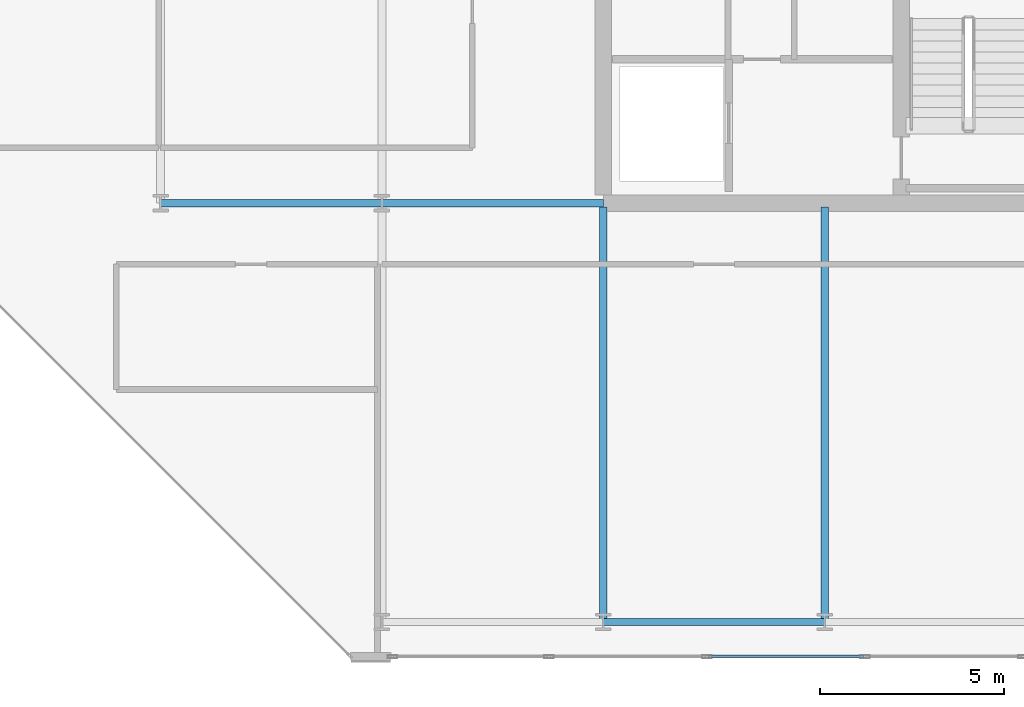
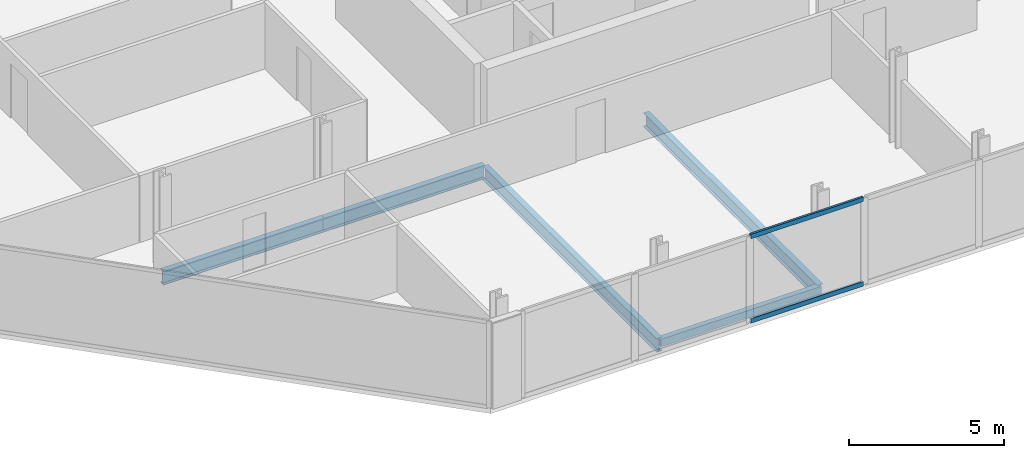
# One storey, part 3 of 17: 5 beams, 2 members, 1 element without a shape of its own.
"""IFC4 building model written with IfcOpenShell, lengths in metres."""

from ifc_helpers import new_model, si_unit, direction, frame, origin, origin_2d, place, context, subcontext, project, spatial, hollow_rectangle, i_section, extrude, material, layer, layer_set, material_profile, profile_set, type_object, element, aggregate, save


model = new_model("IFC4")

# Units and contexts
model_context = context("Model", 3, precision=1e-05, world=origin(), true_north=direction((0.0, 1.0)))
body_context = subcontext(model_context, "Body", "Model", "MODEL_VIEW")
ifc_project = project(units=[si_unit("LENGTHUNIT", "METRE"), si_unit("AREAUNIT", "SQUARE_METRE"), si_unit("VOLUMEUNIT", "CUBIC_METRE"), si_unit("PLANEANGLEUNIT", "RADIAN"), si_unit("MASSUNIT", "GRAM", prefix="KILO")], contexts=[model_context])

# Site, building, storey
site_placement = place(None, origin())
site = spatial("IfcSite", under=ifc_project, at=site_placement, CompositionType="ELEMENT")
building_placement = place(site_placement, origin())
building = spatial("IfcBuilding", under=site, at=building_placement, Name="Tanjung Sevakor Pilgrim Tower", CompositionType="ELEMENT")
storey_placement = place(building_placement, frame((0.0, 0.0, 264.330078125)))
storey = spatial("IfcBuildingStorey", under=building, at=storey_placement, Name="L74", CompositionType="ELEMENT", Elevation=264.330078125)

# Beams
ifc_material_1 = material(Name="Steel S355J2", Category="steel")
ifc_material_profile_1 = material_profile(ifc_material_1, i_section(OverallWidth=0.2119140625, OverallDepth=0.54443359375, WebThickness=0.0126953125, FlangeThickness=0.021240234375, FilletRadius=0.0126953125, at=origin_2d()))
ifc_profile_set_1 = profile_set([ifc_material_profile_1], Name="Steel S355J2")
beam_type_1 = type_object("IfcBeamType", Name="BM-B-G5-UB_533x210x122", PredefinedType="BEAM", material=ifc_profile_set_1)
for number, where, z_axis, x_axis, name in (
    (1, (66.0, 24.60009765625, -0.4921875), (1.0, 0.0, 0.0), (0.0, 1.0, 0.0), "L74 Primary Floor Girder EAST Y246-01"),
    (2, (72.0, 24.60009765625, -0.4921875), (1.0, 0.0, 0.0), (0.0, 1.0, 0.0), "L74 Primary Floor Girder EAST Y246-02"),
):
    element("IfcBeam", number, at=place(storey_placement, frame(where, z_axis=z_axis, x_axis=x_axis)), inside=storey, type_object=beam_type_1, Name=name, PredefinedType="BEAM", context=body_context, shape_type="SweptSolid", body=[
        extrude(i_section(OverallWidth=0.2119140625, OverallDepth=0.54443359375, WebThickness=0.0126953125, FlangeThickness=0.021240234375, FilletRadius=0.0126953125, at=origin_2d()), origin(), (0.0, 0.0, 1.0), 6.0),
    ])
ifc_material_2 = material(Name="Steel S355J2", Category="steel")
ifc_material_profile_2 = material_profile(ifc_material_2, i_section(OverallWidth=0.210693359375, OverallDepth=0.53955078125, WebThickness=0.01171875, FlangeThickness=0.018798828125, FilletRadius=0.0126953125, at=origin_2d()))
ifc_profile_set_2 = profile_set([ifc_material_profile_2], Name="Steel S355J2")
beam_type_2 = type_object("IfcBeamType", Name="BM-B-G6-UB_533x210x109", PredefinedType="BEAM", material=ifc_profile_set_2)
for number, where, z_axis, x_axis, name in (
    (3, (78.0, 13.25, -0.48974609375), (0.0, 1.0, 0.0), (-1.0, 0.0, 0.0), "L74 EAST Girder 005"),
    (4, (84.0, 13.25, -0.48974609375), (0.0, 1.0, 0.0), (-1.0, 0.0, 0.0), "L74 EAST Girder 007"),
):
    element("IfcBeam", number, at=place(storey_placement, frame(where, z_axis=z_axis, x_axis=x_axis)), inside=storey, type_object=beam_type_2, Name=name, PredefinedType="BEAM", context=body_context, shape_type="SweptSolid", body=[
        extrude(i_section(OverallWidth=0.210693359375, OverallDepth=0.53955078125, WebThickness=0.01171875, FlangeThickness=0.018798828125, FilletRadius=0.0126953125, at=origin_2d()), origin(), (0.0, 0.0, 1.0), 11.243896484375),
    ])
ifc_material_3 = material(Name="Steel S355J2", Category="steel")
ifc_material_profile_3 = material_profile(ifc_material_3, hollow_rectangle(XDim=0.199951171875, YDim=0.300048828125, WallThickness=0.012451171875, at=origin_2d()))
ifc_profile_set_3 = profile_set([ifc_material_profile_3], Name="Steel S355J2")
beam_type_3 = type_object("IfcBeamType", Name="BM-B-SP3-RHS_300x200x12.5", PredefinedType="SPANDREL", material=ifc_profile_set_3)
beam_placement = place(storey_placement, frame((78.0, 13.25, -0.3701171875), z_axis=(1.0, 0.0, 0.0), x_axis=(0.0, 1.0, 0.0)))
element("IfcBeam", 5, at=beam_placement, inside=storey, type_object=beam_type_3, Name="L74 Spandrel EAST S-03", PredefinedType="SPANDREL", context=body_context, shape_type="SweptSolid", body=[
    extrude(hollow_rectangle(XDim=0.199951171875, YDim=0.300048828125, WallThickness=0.012451171875, at=origin_2d()), origin(), (0.0, 0.0, 1.0), 6.0),
])

# Curtain wall, members
ifc_material_4 = material(Name="Aluminium 6063-T6 and Low-E Glass", Category="aluminium")
ifc_layer = layer(ifc_material_4, 0.219970703125)
ifc_layer_set = layer_set([ifc_layer], Name="CW-SYS-CRNE")
curtain_wall_type = type_object("IfcCurtainWallType", Name="CW-SYS-CRNE", PredefinedType="NOTDEFINED", material=ifc_layer_set)
curtain_wall_placement = place(storey_placement, origin())
curtain_wall = element("IfcCurtainWall", 6, at=curtain_wall_placement, inside=storey, type_object=curtain_wall_type, Name="L74 Curtain Wall CW-CRN-L74-EAST-0-1", PredefinedType="NOTDEFINED")
ifc_material_5 = material(Name="Aluminium 6063-T6", Category="aluminium")
ifc_material_profile_4 = material_profile(ifc_material_5, hollow_rectangle(XDim=0.080078125, YDim=0.179931640625, WallThickness=0.0048828125, at=origin_2d()))
ifc_profile_set_4 = profile_set([ifc_material_profile_4], Name="Aluminium 6063-T6")
member_type = type_object("IfcMemberType", Name="TYPE-CWT-3", PredefinedType="USERDEFINED", material=ifc_profile_set_4)
member_1_placement = place(storey_placement, frame((80.84912109375, 12.31005859375, 0.0400390625), z_axis=(1.0, 0.0, 0.0), x_axis=(0.0, 1.0, 0.0)))
member_1 = element("IfcMember", 7, at=member_1_placement, type_object=member_type, Name="CW-CRE transom 3.1", ObjectType="TRANSOM", PredefinedType="USERDEFINED", context=body_context, shape_type="SweptSolid", body=[
    extrude(hollow_rectangle(XDim=0.080078125, YDim=0.179931640625, WallThickness=0.0048828125, at=origin_2d()), origin(), (0.0, 0.0, 1.0), 4.20166015625),
])
member_2_placement = place(storey_placement, frame((80.84912109375, 12.31005859375, 3.369873046875), z_axis=(1.0, 0.0, 0.0), x_axis=(0.0, 1.0, 0.0)))
member_2 = element("IfcMember", 8, at=member_2_placement, type_object=member_type, Name="CW-CRE transom 3.2", ObjectType="TRANSOM", PredefinedType="USERDEFINED", context=body_context, shape_type="SweptSolid", body=[
    extrude(hollow_rectangle(XDim=0.080078125, YDim=0.179931640625, WallThickness=0.0048828125, at=origin_2d()), origin(), (0.0, 0.0, 1.0), 4.20166015625),
])
aggregate(curtain_wall, [member_1, member_2])

save(model, "model.ifc")
